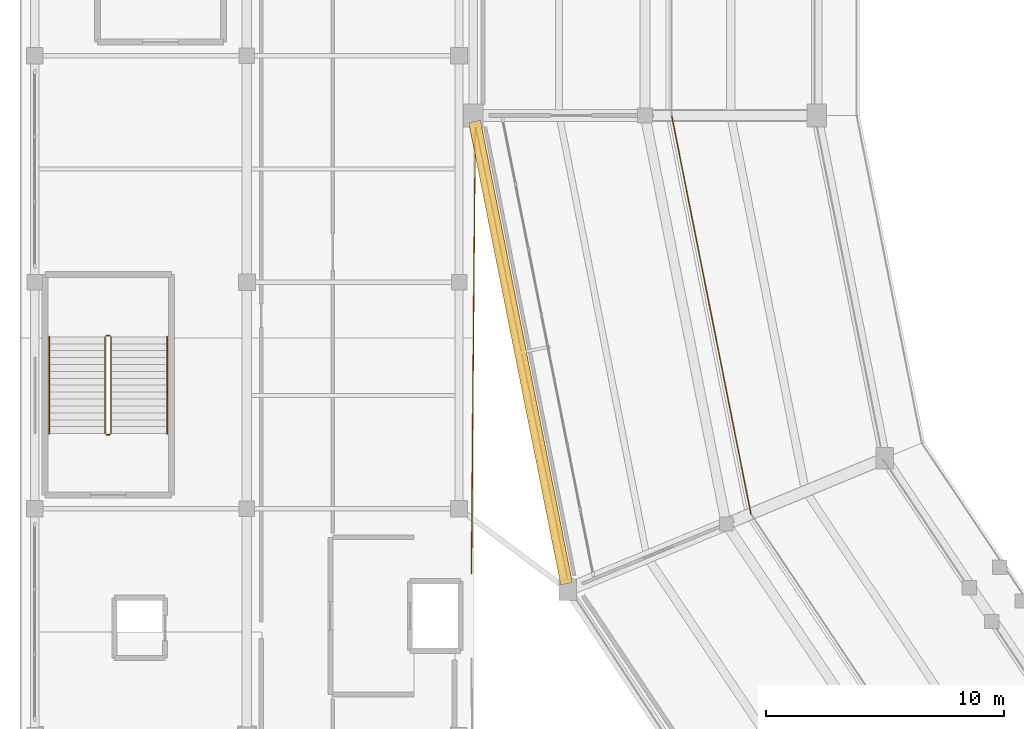
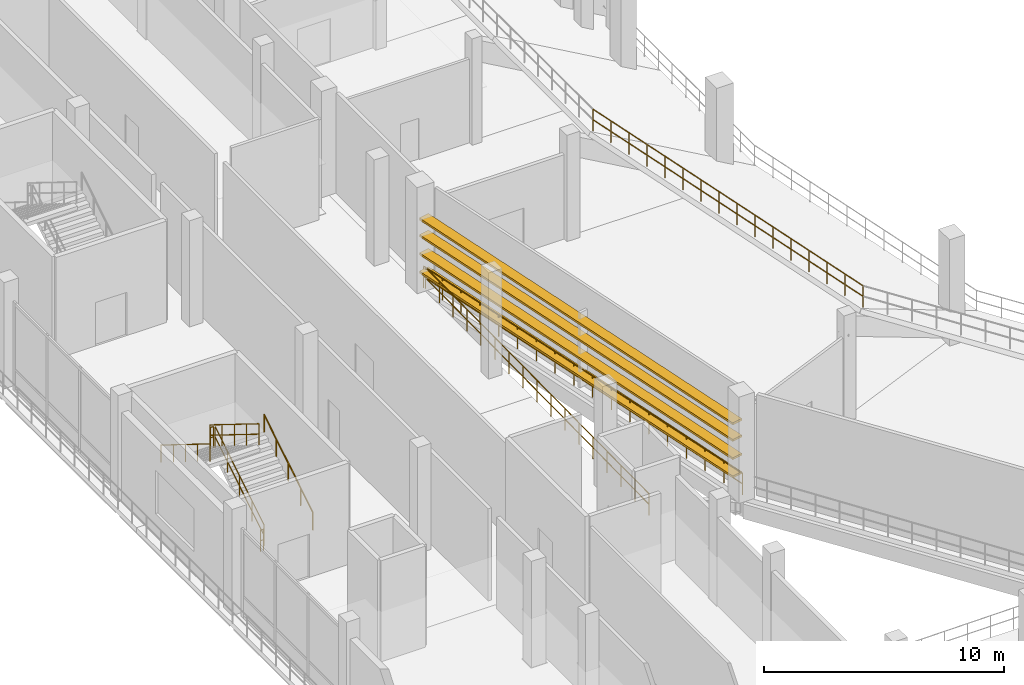
# One storey, part 97 of 127: 9 railings, 4 shading devices.
"""IFC4 building model written with IfcOpenShell, lengths in metres."""

from ifc_helpers import new_model, si_unit, direction, frame, origin, origin_2d, place, context, subcontext, project, spatial, rectangle, circle, extrude, material, layer, layer_set, type_object, element, save


model = new_model("IFC4")

# Units and contexts
model_context = context("Model", 3, precision=1e-05, world=origin(), true_north=direction((0.0, 1.0)))
body_context = subcontext(model_context, "Body", "Model", "MODEL_VIEW")
ifc_project = project(units=[si_unit("LENGTHUNIT", "METRE"), si_unit("AREAUNIT", "SQUARE_METRE"), si_unit("VOLUMEUNIT", "CUBIC_METRE"), si_unit("PLANEANGLEUNIT", "RADIAN"), si_unit("MASSUNIT", "GRAM", prefix="KILO")], contexts=[model_context])

# Site, building, storey
site_placement = place(None, origin())
site = spatial("IfcSite", under=ifc_project, at=site_placement, CompositionType="ELEMENT")
building_placement = place(site_placement, origin())
building = spatial("IfcBuilding", under=site, at=building_placement, Name="Candeia Ridge Stadium", CompositionType="ELEMENT")
storey_placement = place(building_placement, frame((0.0, 0.0, 10.800048828125)))
storey = spatial("IfcBuildingStorey", under=building, at=storey_placement, Name="L02", CompositionType="ELEMENT", Elevation=10.800048828125)

# Railings
ifc_material_1 = material(Name="Galvanized Powder-Coated Steel", Category="steel")
ifc_layer_1 = layer(ifc_material_1, 0.074951171875, Name="Galvanized Powder-Coated Steel", Category="steel")
ifc_layer_set_1 = layer_set([ifc_layer_1], Name="Galvanized Powder-Coated Steel")
railing_type_1 = type_object("IfcRailingType", Name="Spectator Bowl Front Guardrail 1120", PredefinedType="GUARDRAIL", material=ifc_layer_set_1)
railing_1_placement = place(storey_placement, frame((27.320068359375, 71.0, 4.949951171875)))
element("IfcRailing", 1, at=railing_1_placement, inside=storey, type_object=railing_type_1, Name="Stand T2 rear safety guardrail bay 15", PredefinedType="GUARDRAIL", context=body_context, shape_type="SweptSolid", body=[
    extrude(circle(Radius=0.02392578125, at=origin_2d()), frame((0.0, 0.0, 1.09619140625), z_axis=(0.195091244467, -0.980785096916, 0.0), x_axis=(0.980785096916, 0.195091244467, 0.0)), (0.0, 0.0, 1.0), 17.04296875),
    extrude(circle(Radius=0.02392578125, at=origin_2d()), frame((0.0, 0.0, 0.56005859375), z_axis=(0.195091244467, -0.980785096916, 0.0), x_axis=(0.980785096916, 0.195091244467, 0.0)), (0.0, 0.0, 1.0), 17.04296875),
    extrude(circle(Radius=0.02099609375, at=origin_2d()), origin(), (0.0, 0.0, 1.0), 1.072021484375),
    extrude(circle(Radius=0.02099609375, at=origin_2d()), frame((0.2216796875, -1.1142578125, 0.0)), (0.0, 0.0, 1.0), 1.072021484375),
    extrude(circle(Radius=0.02099609375, at=origin_2d()), frame((0.443359375, -2.228759765625, 0.0)), (0.0, 0.0, 1.0), 1.072021484375),
    extrude(circle(Radius=0.02099609375, at=origin_2d()), frame((0.6650390625, -3.343017578125, 0.0)), (0.0, 0.0, 1.0), 1.072021484375),
    extrude(circle(Radius=0.02099609375, at=origin_2d()), frame((0.88671875, -4.45751953125, 0.0)), (0.0, 0.0, 1.0), 1.072021484375),
    extrude(circle(Radius=0.02099609375, at=origin_2d()), frame((1.1083984375, -5.57177734375, 0.0)), (0.0, 0.0, 1.0), 1.072021484375),
    extrude(circle(Radius=0.02099609375, at=origin_2d()), frame((1.330078125, -6.686279296875, 0.0)), (0.0, 0.0, 1.0), 1.072021484375),
    extrude(circle(Radius=0.02099609375, at=origin_2d()), frame((1.5517578125, -7.800537109375, 0.0)), (0.0, 0.0, 1.0), 1.072021484375),
    extrude(circle(Radius=0.02099609375, at=origin_2d()), frame((1.773193359375, -8.9150390625, 0.0)), (0.0, 0.0, 1.0), 1.072021484375),
    extrude(circle(Radius=0.02099609375, at=origin_2d()), frame((1.994873046875, -10.029296875, 0.0)), (0.0, 0.0, 1.0), 1.072021484375),
    extrude(circle(Radius=0.02099609375, at=origin_2d()), frame((2.216552734375, -11.143798828125, 0.0)), (0.0, 0.0, 1.0), 1.072021484375),
    extrude(circle(Radius=0.02099609375, at=origin_2d()), frame((2.438232421875, -12.258056640625, 0.0)), (0.0, 0.0, 1.0), 1.072021484375),
    extrude(circle(Radius=0.02099609375, at=origin_2d()), frame((2.659912109375, -13.37255859375, 0.0)), (0.0, 0.0, 1.0), 1.072021484375),
    extrude(circle(Radius=0.02099609375, at=origin_2d()), frame((2.881591796875, -14.48681640625, 0.0)), (0.0, 0.0, 1.0), 1.072021484375),
    extrude(circle(Radius=0.02099609375, at=origin_2d()), frame((3.103271484375, -15.601318359375, 0.0)), (0.0, 0.0, 1.0), 1.072021484375),
    extrude(circle(Radius=0.02099609375, at=origin_2d()), frame((3.324951171875, -16.715576171875, 0.0)), (0.0, 0.0, 1.0), 1.072021484375),
])
railing_2_placement = place(storey_placement, frame((23.036865234375, 51.1162109375, 0.0)))
element("IfcRailing", 2, at=railing_2_placement, inside=storey, type_object=railing_type_1, Name="Deck edge safety guardrail GR-DE-L02-0141", PredefinedType="GUARDRAIL", context=body_context, shape_type="SweptSolid", body=[
    extrude(circle(Radius=0.02392578125, at=origin_2d()), frame((0.0, 0.0, 1.09619140625), z_axis=(-0.198632089417, 0.980074126306, 0.0), x_axis=(-0.980074126306, -0.198632089417, 0.0)), (0.0, 0.0, 1.0), 20.055419921875),
    extrude(circle(Radius=0.02392578125, at=origin_2d()), frame((0.0, 0.0, 0.56005859375), z_axis=(-0.198632089417, 0.980074126306, 0.0), x_axis=(-0.980074126306, -0.198632089417, 0.0)), (0.0, 0.0, 1.0), 20.055419921875),
    extrude(circle(Radius=0.02099609375, at=origin_2d()), origin(), (0.0, 0.0, 1.0), 1.072021484375),
    extrude(circle(Radius=0.02099609375, at=origin_2d()), frame((-0.234375, 1.15625, 0.0)), (0.0, 0.0, 1.0), 1.072021484375),
    extrude(circle(Radius=0.02099609375, at=origin_2d()), frame((-0.46875, 2.3125, 0.0)), (0.0, 0.0, 1.0), 1.072021484375),
    extrude(circle(Radius=0.02099609375, at=origin_2d()), frame((-0.702880859375, 3.46875, 0.0)), (0.0, 0.0, 1.0), 1.072021484375),
    extrude(circle(Radius=0.02099609375, at=origin_2d()), frame((-0.937255859375, 4.625, 0.0)), (0.0, 0.0, 1.0), 1.072021484375),
    extrude(circle(Radius=0.02099609375, at=origin_2d()), frame((-1.171630859375, 5.781005859375, 0.0)), (0.0, 0.0, 1.0), 1.072021484375),
    extrude(circle(Radius=0.02099609375, at=origin_2d()), frame((-1.406005859375, 6.937255859375, 0.0)), (0.0, 0.0, 1.0), 1.072021484375),
    extrude(circle(Radius=0.02099609375, at=origin_2d()), frame((-1.640380859375, 8.093505859375, 0.0)), (0.0, 0.0, 1.0), 1.072021484375),
    extrude(circle(Radius=0.02099609375, at=origin_2d()), frame((-1.874755859375, 9.249755859375, 0.0)), (0.0, 0.0, 1.0), 1.072021484375),
    extrude(circle(Radius=0.02099609375, at=origin_2d()), frame((-2.10888671875, 10.406005859375, 0.0)), (0.0, 0.0, 1.0), 1.072021484375),
    extrude(circle(Radius=0.02099609375, at=origin_2d()), frame((-2.34326171875, 11.562255859375, 0.0)), (0.0, 0.0, 1.0), 1.072021484375),
    extrude(circle(Radius=0.02099609375, at=origin_2d()), frame((-2.57763671875, 12.718505859375, 0.0)), (0.0, 0.0, 1.0), 1.072021484375),
    extrude(circle(Radius=0.02099609375, at=origin_2d()), frame((-2.81201171875, 13.874755859375, 0.0)), (0.0, 0.0, 1.0), 1.072021484375),
    extrude(circle(Radius=0.02099609375, at=origin_2d()), frame((-3.04638671875, 15.03076171875, 0.0)), (0.0, 0.0, 1.0), 1.072021484375),
    extrude(circle(Radius=0.02099609375, at=origin_2d()), frame((-3.28076171875, 16.18701171875, 0.0)), (0.0, 0.0, 1.0), 1.072021484375),
    extrude(circle(Radius=0.02099609375, at=origin_2d()), frame((-3.514892578125, 17.34326171875, 0.0)), (0.0, 0.0, 1.0), 1.072021484375),
    extrude(circle(Radius=0.02099609375, at=origin_2d()), frame((-3.749267578125, 18.49951171875, 0.0)), (0.0, 0.0, 1.0), 1.072021484375),
    extrude(circle(Radius=0.02099609375, at=origin_2d()), frame((-3.983642578125, 19.65576171875, 0.0)), (0.0, 0.0, 1.0), 1.072021484375),
])
railing_3_placement = place(storey_placement, frame((19.080078125, 70.686279296875, 0.0)))
element("IfcRailing", 3, at=railing_3_placement, inside=storey, type_object=railing_type_1, Name="Deck edge safety guardrail GR-DE-L02-0142", PredefinedType="GUARDRAIL", context=body_context, shape_type="SweptSolid", body=[
    extrude(circle(Radius=0.02392578125, at=origin_2d()), frame((0.0, 0.0, 1.09619140625), z_axis=(-0.008472958565, -0.999964103842, 0.0), x_axis=(0.999964103842, -0.008472958565, 0.0)), (0.0, 0.0, 1.0), 18.902099609375),
    extrude(circle(Radius=0.02392578125, at=origin_2d()), frame((0.0, 0.0, 0.56005859375), z_axis=(-0.008472958565, -0.999964103842, 0.0), x_axis=(0.999964103842, -0.008472958565, 0.0)), (0.0, 0.0, 1.0), 18.902099609375),
    extrude(circle(Radius=0.02099609375, at=origin_2d()), origin(), (0.0, 0.0, 1.0), 1.072021484375),
    extrude(circle(Radius=0.02099609375, at=origin_2d()), frame((-0.010009765625, -1.181396484375, 0.0)), (0.0, 0.0, 1.0), 1.072021484375),
    extrude(circle(Radius=0.02099609375, at=origin_2d()), frame((-0.02001953125, -2.36279296875, 0.0)), (0.0, 0.0, 1.0), 1.072021484375),
    extrude(circle(Radius=0.02099609375, at=origin_2d()), frame((-0.030029296875, -3.5439453125, 0.0)), (0.0, 0.0, 1.0), 1.072021484375),
    extrude(circle(Radius=0.02099609375, at=origin_2d()), frame((-0.0400390625, -4.725341796875, 0.0)), (0.0, 0.0, 1.0), 1.072021484375),
    extrude(circle(Radius=0.02099609375, at=origin_2d()), frame((-0.050048828125, -5.90673828125, 0.0)), (0.0, 0.0, 1.0), 1.072021484375),
    extrude(circle(Radius=0.02099609375, at=origin_2d()), frame((-0.06005859375, -7.087890625, 0.0)), (0.0, 0.0, 1.0), 1.072021484375),
    extrude(circle(Radius=0.02099609375, at=origin_2d()), frame((-0.070068359375, -8.269287109375, 0.0)), (0.0, 0.0, 1.0), 1.072021484375),
    extrude(circle(Radius=0.02099609375, at=origin_2d()), frame((-0.080078125, -9.45068359375, 0.0)), (0.0, 0.0, 1.0), 1.072021484375),
    extrude(circle(Radius=0.02099609375, at=origin_2d()), frame((-0.090087890625, -10.632080078125, 0.0)), (0.0, 0.0, 1.0), 1.072021484375),
    extrude(circle(Radius=0.02099609375, at=origin_2d()), frame((-0.10009765625, -11.8134765625, 0.0)), (0.0, 0.0, 1.0), 1.072021484375),
    extrude(circle(Radius=0.02099609375, at=origin_2d()), frame((-0.110107421875, -12.99462890625, 0.0)), (0.0, 0.0, 1.0), 1.072021484375),
    extrude(circle(Radius=0.02099609375, at=origin_2d()), frame((-0.1201171875, -14.176025390625, 0.0)), (0.0, 0.0, 1.0), 1.072021484375),
    extrude(circle(Radius=0.02099609375, at=origin_2d()), frame((-0.130126953125, -15.357421875, 0.0)), (0.0, 0.0, 1.0), 1.072021484375),
    extrude(circle(Radius=0.02099609375, at=origin_2d()), frame((-0.14013671875, -16.53857421875, 0.0)), (0.0, 0.0, 1.0), 1.072021484375),
    extrude(circle(Radius=0.02099609375, at=origin_2d()), frame((-0.150146484375, -17.719970703125, 0.0)), (0.0, 0.0, 1.0), 1.072021484375),
    extrude(circle(Radius=0.02099609375, at=origin_2d()), frame((-0.16015625, -18.9013671875, 0.0)), (0.0, 0.0, 1.0), 1.072021484375),
])
ifc_material_2 = material(Name="Brushed Stainless Steel", Category="steel")
ifc_layer_2 = layer(ifc_material_2, 0.048095703125, Name="Brushed Stainless Steel", Category="steel")
ifc_layer_set_2 = layer_set([ifc_layer_2], Name="Brushed Stainless Steel")
railing_type_2 = type_object("IfcRailingType", Name="Stair Wall & Flight Handrail 900", PredefinedType="HANDRAIL", material=ifc_layer_set_2)
railing_4_placement = place(storey_placement, frame((6.14990234375, 57.64990234375, 0.179931640625)))
element("IfcRailing", 4, at=railing_4_placement, inside=storey, type_object=railing_type_2, Name="L02 ST05 stair handrail 1", PredefinedType="HANDRAIL", context=body_context, shape_type="SweptSolid", body=[
    extrude(circle(Radius=0.02392578125, at=origin_2d()), frame((0.0, 0.0, 0.8759765625), z_axis=(0.0, 0.849641744969, 0.527360318194), x_axis=(-1.0, 0.0, 0.0)), (0.0, 0.0, 1.0), 4.778564453125),
    extrude(circle(Radius=0.02099609375, at=origin_2d()), origin(), (0.0, 0.0, 1.0), 0.851806640625),
    extrude(circle(Radius=0.02099609375, at=origin_2d()), frame((0.0, 1.01513671875, 0.6298828125)), (0.0, 0.0, 1.0), 0.851806640625),
    extrude(circle(Radius=0.02099609375, at=origin_2d()), frame((0.0, 2.030029296875, 1.260009765625)), (0.0, 0.0, 1.0), 0.851806640625),
    extrude(circle(Radius=0.02099609375, at=origin_2d()), frame((0.0, 3.044921875, 1.89013671875)), (0.0, 0.0, 1.0), 0.851806640625),
    extrude(circle(Radius=0.02099609375, at=origin_2d()), frame((0.0, 4.06005859375, 2.52001953125)), (0.0, 0.0, 1.0), 0.851806640625),
])
railing_5_placement = place(storey_placement, frame((1.199951171875, 61.7099609375, 2.8798828125)))
element("IfcRailing", 5, at=railing_5_placement, inside=storey, type_object=railing_type_2, Name="L02 ST05 stair handrail 2", PredefinedType="HANDRAIL", context=body_context, shape_type="SweptSolid", body=[
    extrude(circle(Radius=0.02392578125, at=origin_2d()), frame((0.0, 0.0, 0.8759765625), z_axis=(0.0, -0.849641744969, 0.527360318194), x_axis=(1.0, 0.0, 0.0)), (0.0, 0.0, 1.0), 4.778564453125),
    extrude(circle(Radius=0.02099609375, at=origin_2d()), origin(), (0.0, 0.0, 1.0), 0.851806640625),
    extrude(circle(Radius=0.02099609375, at=origin_2d()), frame((0.0, -1.01513671875, 0.6298828125)), (0.0, 0.0, 1.0), 0.851806640625),
    extrude(circle(Radius=0.02099609375, at=origin_2d()), frame((0.0, -2.030029296875, 1.260009765625)), (0.0, 0.0, 1.0), 0.851806640625),
    extrude(circle(Radius=0.02099609375, at=origin_2d()), frame((0.0, -3.044921875, 1.89013671875)), (0.0, 0.0, 1.0), 0.851806640625),
    extrude(circle(Radius=0.02099609375, at=origin_2d()), frame((0.0, -4.06005859375, 2.52001953125)), (0.0, 0.0, 1.0), 0.851806640625),
])
ifc_layer_3 = layer(ifc_material_1, 0.06005859375, Name="Galvanized Powder-Coated Steel", Category="steel")
ifc_layer_set_3 = layer_set([ifc_layer_3], Name="Galvanized Powder-Coated Steel")
railing_type_3 = type_object("IfcRailingType", Name="Stair Well Guardrail 1100", PredefinedType="GUARDRAIL", material=ifc_layer_set_3)
railing_6_placement = place(storey_placement, frame((3.800048828125, 57.64990234375, 0.179931640625)))
element("IfcRailing", 6, at=railing_6_placement, inside=storey, type_object=railing_type_3, Name="L02 ST05 stair guard 1", PredefinedType="GUARDRAIL", context=body_context, shape_type="SweptSolid", body=[
    extrude(circle(Radius=0.02392578125, at=origin_2d()), frame((0.0, 0.0, 1.076171875), z_axis=(0.0, 0.849641744969, 0.527360318194), x_axis=(-1.0, 0.0, 0.0)), (0.0, 0.0, 1.0), 4.778564453125),
    extrude(circle(Radius=0.02392578125, at=origin_2d()), frame((0.0, 0.0, 0.550048828125), z_axis=(0.0, 0.849641744969, 0.527360318194), x_axis=(-1.0, 0.0, 0.0)), (0.0, 0.0, 1.0), 4.778564453125),
    extrude(circle(Radius=0.02099609375, at=origin_2d()), origin(), (0.0, 0.0, 1.0), 1.052001953125),
    extrude(circle(Radius=0.02099609375, at=origin_2d()), frame((0.0, 1.01513671875, 0.6298828125)), (0.0, 0.0, 1.0), 1.052001953125),
    extrude(circle(Radius=0.02099609375, at=origin_2d()), frame((0.0, 2.030029296875, 1.260009765625)), (0.0, 0.0, 1.0), 1.052001953125),
    extrude(circle(Radius=0.02099609375, at=origin_2d()), frame((0.0, 3.044921875, 1.89013671875)), (0.0, 0.0, 1.0), 1.052001953125),
    extrude(circle(Radius=0.02099609375, at=origin_2d()), frame((0.0, 4.06005859375, 2.52001953125)), (0.0, 0.0, 1.0), 1.052001953125),
])
railing_7_placement = place(storey_placement, frame((3.75, 61.760009765625, 2.699951171875)))
element("IfcRailing", 7, at=railing_7_placement, inside=storey, type_object=railing_type_3, Name="L02 ST05 stair guard 2", PredefinedType="GUARDRAIL", context=body_context, shape_type="SweptSolid", body=[
    extrude(circle(Radius=0.02392578125, at=origin_2d()), frame((0.0, 0.0, 1.076171875), z_axis=(-1.0, 0.0, 0.0), x_axis=(0.0, -1.0, 0.0)), (0.0, 0.0, 1.0), 0.14990234375),
    extrude(circle(Radius=0.02392578125, at=origin_2d()), frame((0.0, 0.0, 0.550048828125), z_axis=(-1.0, 0.0, 0.0), x_axis=(0.0, -1.0, 0.0)), (0.0, 0.0, 1.0), 0.14990234375),
    extrude(circle(Radius=0.02099609375, at=origin_2d()), origin(), (0.0, 0.0, 1.0), 1.052001953125),
    extrude(circle(Radius=0.02099609375, at=origin_2d()), frame((-0.14990234375, 0.0, 0.0)), (0.0, 0.0, 1.0), 1.052001953125),
])
railing_8_placement = place(storey_placement, frame((3.550048828125, 61.7099609375, 2.8798828125)))
element("IfcRailing", 8, at=railing_8_placement, inside=storey, type_object=railing_type_3, Name="L02 ST05 stair guard 3", PredefinedType="GUARDRAIL", context=body_context, shape_type="SweptSolid", body=[
    extrude(circle(Radius=0.02392578125, at=origin_2d()), frame((0.0, 0.0, 1.076171875), z_axis=(0.0, -0.849641744969, 0.527360318194), x_axis=(1.0, 0.0, 0.0)), (0.0, 0.0, 1.0), 4.778564453125),
    extrude(circle(Radius=0.02392578125, at=origin_2d()), frame((0.0, 0.0, 0.550048828125), z_axis=(0.0, -0.849641744969, 0.527360318194), x_axis=(1.0, 0.0, 0.0)), (0.0, 0.0, 1.0), 4.778564453125),
    extrude(circle(Radius=0.02099609375, at=origin_2d()), origin(), (0.0, 0.0, 1.0), 1.052001953125),
    extrude(circle(Radius=0.02099609375, at=origin_2d()), frame((0.0, -1.01513671875, 0.6298828125)), (0.0, 0.0, 1.0), 1.052001953125),
    extrude(circle(Radius=0.02099609375, at=origin_2d()), frame((0.0, -2.030029296875, 1.260009765625)), (0.0, 0.0, 1.0), 1.052001953125),
    extrude(circle(Radius=0.02099609375, at=origin_2d()), frame((0.0, -3.044921875, 1.89013671875)), (0.0, 0.0, 1.0), 1.052001953125),
    extrude(circle(Radius=0.02099609375, at=origin_2d()), frame((0.0, -4.06005859375, 2.52001953125)), (0.0, 0.0, 1.0), 1.052001953125),
])
railing_9_placement = place(storey_placement, frame((3.75, 57.60009765625, 0.0)))
element("IfcRailing", 9, at=railing_9_placement, inside=storey, type_object=railing_type_3, Name="L02 ST05 stair guard 4", PredefinedType="GUARDRAIL", context=body_context, shape_type="SweptSolid", body=[
    extrude(circle(Radius=0.02392578125, at=origin_2d()), frame((0.0, 0.0, 1.076171875), z_axis=(-1.0, 0.0, 0.0), x_axis=(0.0, -1.0, 0.0)), (0.0, 0.0, 1.0), 0.14990234375),
    extrude(circle(Radius=0.02392578125, at=origin_2d()), frame((0.0, 0.0, 0.550048828125), z_axis=(-1.0, 0.0, 0.0), x_axis=(0.0, -1.0, 0.0)), (0.0, 0.0, 1.0), 0.14990234375),
    extrude(circle(Radius=0.02099609375, at=origin_2d()), origin(), (0.0, 0.0, 1.0), 1.052001953125),
    extrude(circle(Radius=0.02099609375, at=origin_2d()), frame((-0.14990234375, 0.0, 0.0)), (0.0, 0.0, 1.0), 1.052001953125),
])

# Shading devices
ifc_material_3 = material(Name="Aluminium Anodized Warm Bronze", Category="aluminium")
shading_device_type = type_object("IfcShadingDeviceType", Name="Weathered Bronze Horizontal Solar Rib 500x105", PredefinedType="JALOUSIE", material=ifc_material_3)
for number, where, z_axis, x_axis, name in (
    (10, (20.979248046875, 61.05029296875, 0.874755859375), (0.0, 0.0, 1.0), (0.195090311899, -0.980785282416, 0.0), "Weathered bronze horizontal solar rib L02 bay 15-1"),
    (11, (20.979248046875, 61.05029296875, 1.802001953125), (0.0, 0.0, 1.0), (0.195090311899, -0.980785282416, 0.0), "Weathered bronze horizontal solar rib L02 bay 15-2"),
    (12, (20.979248046875, 61.05029296875, 2.729248046875), (0.0, 0.0, 1.0), (0.195090311899, -0.980785282416, 0.0), "Weathered bronze horizontal solar rib L02 bay 15-3"),
    (13, (20.979248046875, 61.05029296875, 3.572265625), (0.0, 0.0, 1.0), (0.195090311899, -0.980785282416, 0.0), "Weathered bronze horizontal solar rib L02 bay 15-4"),
):
    element("IfcShadingDevice", number, at=place(storey_placement, frame(where, z_axis=z_axis, x_axis=x_axis)), inside=storey, type_object=shading_device_type, Name=name, PredefinedType="JALOUSIE", context=body_context, shape_type="SweptSolid", body=[
        extrude(rectangle(XDim=19.789306640625, YDim=0.5, at=origin_2d()), origin(), (0.0, 0.0, 1.0), 0.10498046875),
    ])

save(model, "model.ifc")
